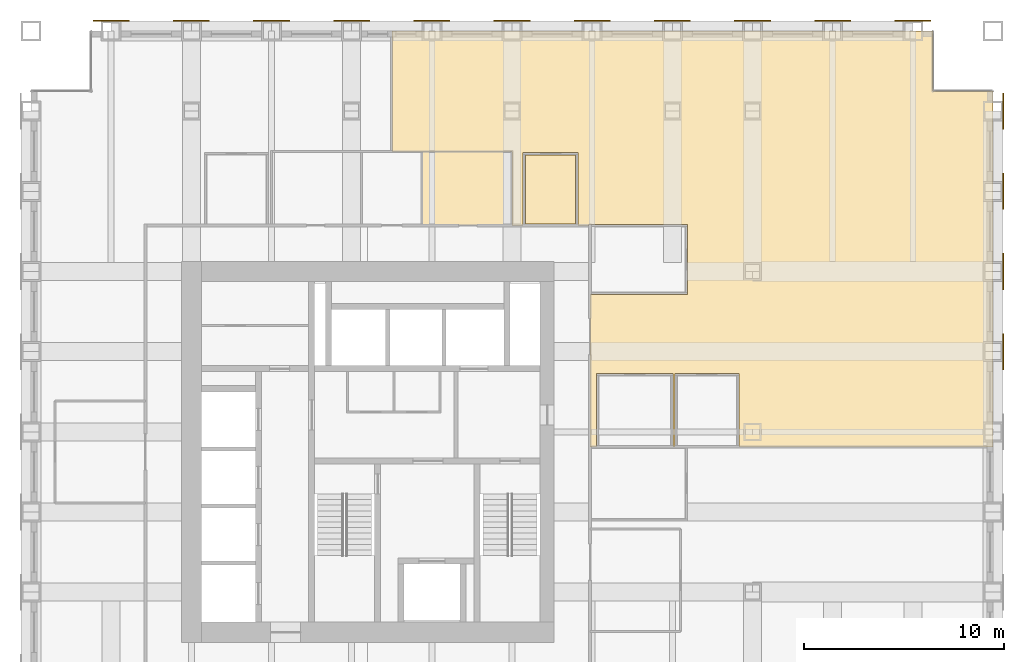
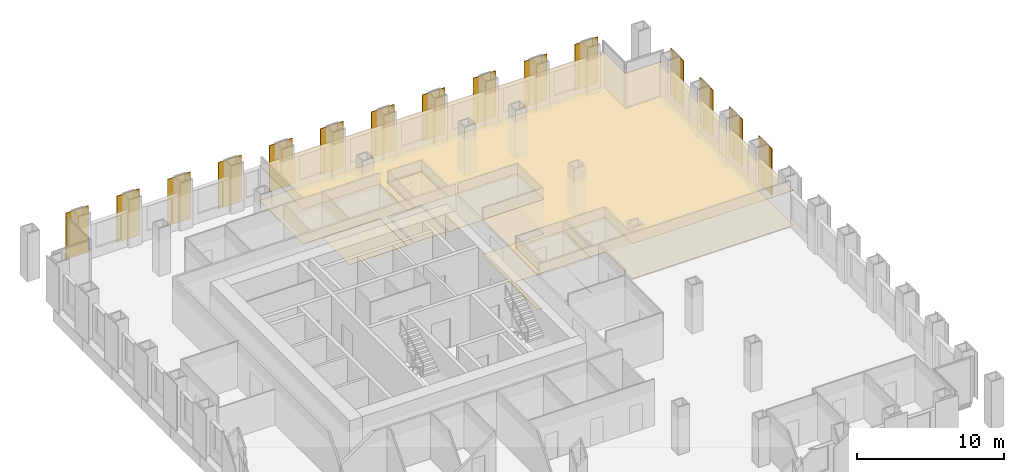
# One storey, part 16 of 16: 15 shading devices, 5 coverings.
"""IFC4 building model written with IfcOpenShell, lengths in metres."""

from ifc_helpers import new_model, si_unit, direction, frame, origin, origin_2d, place, context, subcontext, project, spatial, polyline, rectangle, outline, extrude, material, layer, layer_set, type_object, element, save


model = new_model("IFC4")

# Units and contexts
model_context = context("Model", 3, precision=1e-05, world=origin(), true_north=direction((0.0, 1.0)))
body_context = subcontext(model_context, "Body", "Model", "MODEL_VIEW")
ifc_project = project(units=[si_unit("LENGTHUNIT", "METRE"), si_unit("AREAUNIT", "SQUARE_METRE"), si_unit("VOLUMEUNIT", "CUBIC_METRE"), si_unit("PLANEANGLEUNIT", "RADIAN"), si_unit("MASSUNIT", "GRAM", prefix="KILO")], contexts=[model_context])

# Site, building, storey
site_placement = place(None, origin())
site = spatial("IfcSite", under=ifc_project, at=site_placement, CompositionType="ELEMENT")
building_placement = place(site_placement, origin())
building = spatial("IfcBuilding", under=site, at=building_placement, Name="Rimbunsela Tower", CompositionType="ELEMENT")
storey_placement = place(building_placement, frame((0.0, 0.0, 97.39990234375)))
storey = spatial("IfcBuildingStorey", under=building, at=storey_placement, Name="L23", CompositionType="ELEMENT", Elevation=97.39990234375)

# Coverings
ifc_material_1 = material(Name="Nylon carpet tile", Category="textile")
ifc_layer_1 = layer(ifc_material_1, 0.010009765625)
ifc_layer_set_1 = layer_set([ifc_layer_1], Name="Carpet tile 10")
covering_type_1 = type_object("IfcCoveringType", Name="Carpet tile 10", PredefinedType="FLOORING", material=ifc_layer_set_1)
covering_1_placement = place(storey_placement, origin())
element("IfcCovering", 1, at=covering_1_placement, inside=storey, type_object=covering_type_1, Name="Floor finish Open office", PredefinedType="FLOORING", context=body_context, shape_type="SweptSolid", body=[
    extrude(outline(polyline([(58.0, 27.2509765625), (45.324951171875, 27.2509765625), (45.324951171875, 30.89990234375), (42.125, 30.89990234375), (42.125, 27.2509765625), (42.02490234375, 27.2509765625), (42.02490234375, 30.89990234375), (38.22509765625, 30.89990234375), (38.22509765625, 27.2509765625), (37.89990234375, 27.2509765625), (37.89990234375, 34.85009765625), (42.75, 34.85009765625), (42.75, 38.35009765625), (37.89990234375, 38.35009765625), (37.85009765625, 38.35009765625), (37.85009765625, 38.300048828125), (37.300048828125, 38.300048828125), (37.300048828125, 41.949951171875), (34.550048828125, 41.949951171875), (34.550048828125, 38.300048828125), (34.0, 38.300048828125), (34.0, 42.0), (28.0009765625, 42.0), (28.0009765625, 48.0), (37.89990234375, 48.0), (55.0, 48.0), (55.0, 45.0), (58.0, 45.0), (58.0, 27.2509765625)])), origin(), (0.0, 0.0, 1.0), 0.010009765625),
])
covering_2_placement = place(storey_placement, origin())
element("IfcCovering", 2, at=covering_2_placement, inside=storey, type_object=covering_type_1, Name="Floor finish Print and copy room", PredefinedType="FLOORING", context=body_context, shape_type="SweptSolid", body=[
    extrude(outline(polyline([(37.175048828125, 38.375), (37.175048828125, 41.824951171875), (34.675048828125, 41.824951171875), (34.675048828125, 38.375), (37.175048828125, 38.375)])), origin(), (0.0, 0.0, 1.0), 0.010009765625),
])
ifc_material_2 = material(Name="Mineral fibre ceiling tile", Category="gypsum")
ifc_layer_2 = layer(ifc_material_2, 0.02001953125)
ifc_layer_set_2 = layer_set([ifc_layer_2], Name="Ceiling 600 grid")
covering_type_2 = type_object("IfcCoveringType", Name="Ceiling 600 grid", PredefinedType="CEILING", material=ifc_layer_set_2)
covering_3_placement = place(storey_placement, frame((0.0, 0.0, 2.900146484375)))
element("IfcCovering", 3, at=covering_3_placement, inside=storey, type_object=covering_type_2, Name="Ceiling Open office", PredefinedType="CEILING", context=body_context, shape_type="SweptSolid", body=[
    extrude(outline(polyline([(58.0, 27.2509765625), (45.324951171875, 27.2509765625), (45.324951171875, 30.89990234375), (42.125, 30.89990234375), (42.125, 27.2509765625), (42.02490234375, 27.2509765625), (42.02490234375, 30.89990234375), (38.22509765625, 30.89990234375), (38.22509765625, 27.2509765625), (37.89990234375, 27.2509765625), (37.89990234375, 34.85009765625), (42.75, 34.85009765625), (42.75, 38.35009765625), (37.89990234375, 38.35009765625), (37.85009765625, 38.35009765625), (37.85009765625, 38.300048828125), (37.300048828125, 38.300048828125), (37.300048828125, 41.949951171875), (34.550048828125, 41.949951171875), (34.550048828125, 38.300048828125), (34.0, 38.300048828125), (34.0, 42.0), (28.0009765625, 42.0), (28.0009765625, 48.0), (37.89990234375, 48.0), (55.0, 48.0), (55.0, 45.0), (58.0, 45.0), (58.0, 27.2509765625)])), origin(), (0.0, 0.0, 1.0), 0.02001953125),
])
covering_4_placement = place(storey_placement, frame((0.0, 0.0, 2.900146484375)))
element("IfcCovering", 4, at=covering_4_placement, inside=storey, type_object=covering_type_2, Name="Ceiling Print and copy room", PredefinedType="CEILING", context=body_context, shape_type="SweptSolid", body=[
    extrude(outline(polyline([(37.175048828125, 38.375), (37.175048828125, 41.824951171875), (34.675048828125, 41.824951171875), (34.675048828125, 38.375), (37.175048828125, 38.375)])), origin(), (0.0, 0.0, 1.0), 0.02001953125),
])
ifc_material_3 = material(Name="Porcelain floor tile in adhesive bed", Category="ceramic")
ifc_layer_3 = layer(ifc_material_3, 0.02001953125)
ifc_layer_set_3 = layer_set([ifc_layer_3], Name="Porcelain tile 20")
covering_type_3 = type_object("IfcCoveringType", Name="Porcelain tile 20", PredefinedType="FLOORING", material=ifc_layer_set_3)
covering_5_placement = place(storey_placement, origin())
element("IfcCovering", 5, at=covering_5_placement, inside=storey, type_object=covering_type_3, Name="Floor finish Male WC", PredefinedType="FLOORING", context=body_context, shape_type="SweptSolid", body=[
    extrude(outline(polyline([(34.0, 38.300048828125), (34.0, 42.0), (29.5, 42.0), (29.5, 38.300048828125), (34.0, 38.300048828125)])), origin(), (0.0, 0.0, 1.0), 0.02001953125),
])

# Shading devices
ifc_material_4 = material(Name="Perforated aluminium, 35 % open area", Category="aluminium")
ifc_layer_4 = layer(ifc_material_4, 0.050048828125)
ifc_layer_set_4 = layer_set([ifc_layer_4], Name="Solar screen panel 1800")
shading_device_type = type_object("IfcShadingDeviceType", Name="Solar screen panel 1800", PredefinedType="USERDEFINED", material=ifc_layer_set_4)
for number, where, z_axis, x_axis, name in (
    (6, (58.52490234375, 32.0, 0.0), (0.0, 0.0, 1.0), (0.0, 1.0, 0.0), "Solar screen E L23"),
    (7, (58.52490234375, 36.0, 0.0), (0.0, 0.0, 1.0), (0.0, 1.0, 0.0), "Solar screen E L23"),
    (8, (58.52490234375, 40.0, 0.0), (0.0, 0.0, 1.0), (0.0, 1.0, 0.0), "Solar screen E L23"),
    (9, (58.52490234375, 44.0, 0.0), (0.0, 0.0, 1.0), (0.0, 1.0, 0.0), "Solar screen E L23"),
    (10, (14.0, 48.52490234375, 0.0), (0.0, 0.0, 1.0), (1.0, 0.0, 0.0), "Solar screen N L23"),
    (11, (18.0, 48.52490234375, 0.0), (0.0, 0.0, 1.0), (1.0, 0.0, 0.0), "Solar screen N L23"),
    (12, (22.0, 48.52490234375, 0.0), (0.0, 0.0, 1.0), (1.0, 0.0, 0.0), "Solar screen N L23"),
    (13, (26.0, 48.52490234375, 0.0), (0.0, 0.0, 1.0), (1.0, 0.0, 0.0), "Solar screen N L23"),
    (14, (30.0, 48.52490234375, 0.0), (0.0, 0.0, 1.0), (1.0, 0.0, 0.0), "Solar screen N L23"),
    (15, (34.0, 48.52490234375, 0.0), (0.0, 0.0, 1.0), (1.0, 0.0, 0.0), "Solar screen N L23"),
    (16, (38.0, 48.52490234375, 0.0), (0.0, 0.0, 1.0), (1.0, 0.0, 0.0), "Solar screen N L23"),
    (17, (42.0, 48.52490234375, 0.0), (0.0, 0.0, 1.0), (1.0, 0.0, 0.0), "Solar screen N L23"),
    (18, (46.0, 48.52490234375, 0.0), (0.0, 0.0, 1.0), (1.0, 0.0, 0.0), "Solar screen N L23"),
    (19, (50.0, 48.52490234375, 0.0), (0.0, 0.0, 1.0), (1.0, 0.0, 0.0), "Solar screen N L23"),
    (20, (54.0, 48.52490234375, 0.0), (0.0, 0.0, 1.0), (1.0, 0.0, 0.0), "Solar screen N L23"),
):
    element("IfcShadingDevice", number, at=place(storey_placement, frame(where, z_axis=z_axis, x_axis=x_axis)), inside=storey, type_object=shading_device_type, Name=name, ObjectType="SCREEN", PredefinedType="USERDEFINED", context=body_context, shape_type="SweptSolid", body=[
        extrude(rectangle(XDim=1.800048828125, YDim=0.050048828125, at=origin_2d()), origin(), (0.0, 0.0, 1.0), 3.85009765625),
    ])

save(model, "model.ifc")
